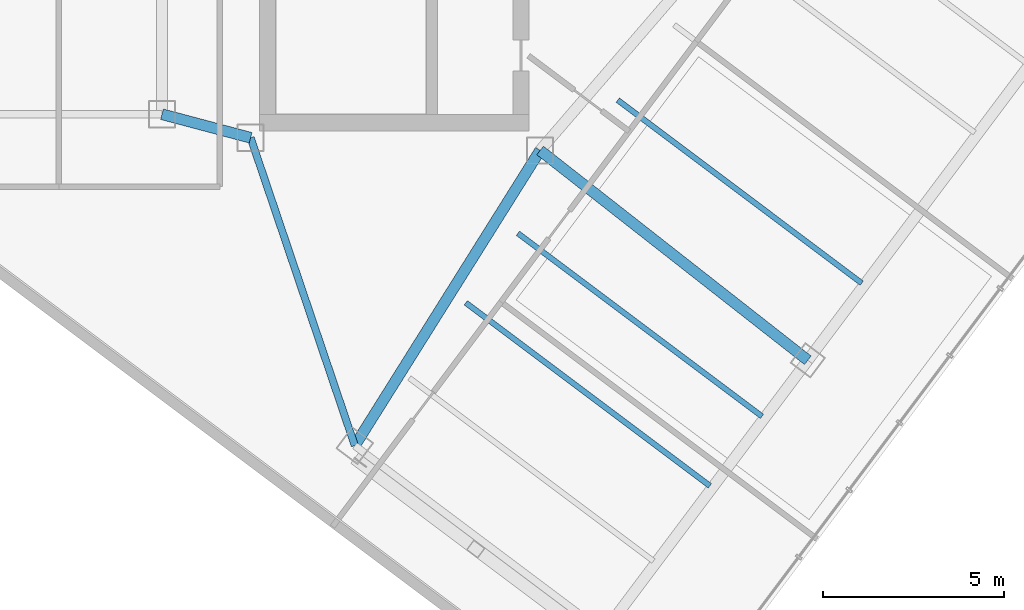
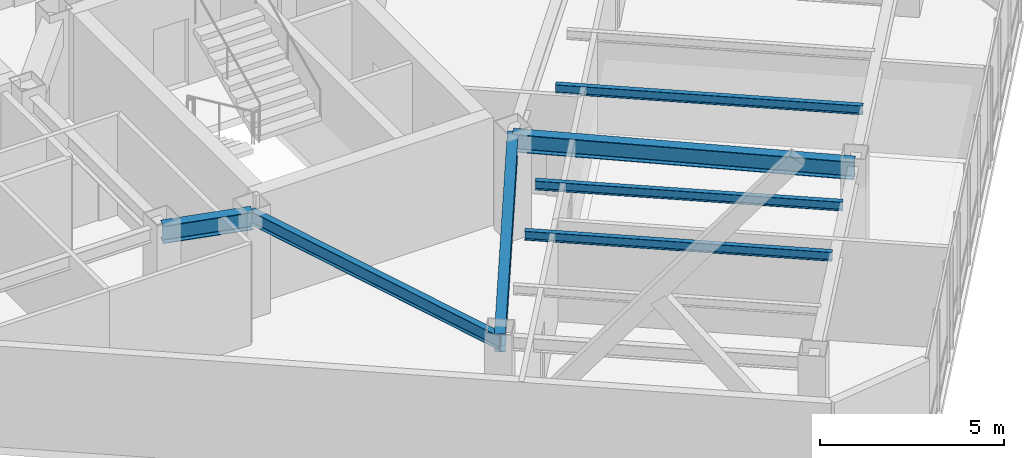
# One storey, part 3 of 24: 7 beams.
"""IFC4 building model written with IfcOpenShell, lengths in metres."""

import ifcopenshell
import ifcopenshell.guid

model = None  # the IFC model being written
_history = None  # IfcOwnerHistory: only IFC2X3 demands one
_inside = {}  # id of a spatial element -> (the spatial element, [elements in it])
_under = {}  # id of a project, library or spatial element -> (it, [spatial elements below it])
_declared = {}  # id of a project -> (the project, [libraries it declares])
_typed = {}  # id of a type object -> (the type object, [elements of that type])
_made_of = {}  # id of a material, layer set ... -> (it, [elements and type objects made of it])


def new_model(schema):
    """Start an empty IFC model of exactly this schema.

    Asked for "IFC4X3", IfcOpenShell would pick the latest addendum, in which some entities
    have other attributes; the version numbers below select the first issue.
    IFC2X3 requires an IfcOwnerHistory on every rooted entity: one is made here for all.
    """
    global model, _history
    if schema == "IFC4X3":
        model = ifcopenshell.file(schema_version=(4, 3, 0, 0))
    else:
        model = ifcopenshell.file(schema=schema)
    _inside.clear()
    _under.clear()
    _declared.clear()
    _typed.clear()
    _made_of.clear()
    _history = None
    if model.schema == "IFC2X3":
        org = make("IfcOrganization", Name="unknown")
        user = make(
            "IfcPersonAndOrganization",
            ThePerson=make("IfcPerson", FamilyName="unknown"),
            TheOrganization=org,
        )
        app = make(
            "IfcApplication",
            ApplicationDeveloper=org,
            Version="unknown",
            ApplicationFullName="unknown",
            ApplicationIdentifier="unknown",
        )
        _history = make(
            "IfcOwnerHistory",
            OwningUser=user,
            OwningApplication=app,
            ChangeAction="ADDED",
            CreationDate=0,
        )
    return model


def make(cls, **values):
    """One entity of the class cls with the attributes given. An attribute that is None is left unset."""
    return model.create_entity(
        cls, **{name: value for name, value in values.items() if value is not None}
    )


def rooted(cls, **values):
    """An entity with a GlobalId (a new one), such as an element, a storey or a relation."""
    return make(cls, GlobalId=ifcopenshell.guid.new(), OwnerHistory=_history, **values)


def si_unit(unit_type, name, prefix=None):
    """IfcSIUnit, for example si_unit("LENGTHUNIT", "METRE", prefix="MILLI")."""
    return make("IfcSIUnit", UnitType=unit_type, Prefix=prefix, Name=name)


def assignment(units):
    """IfcUnitAssignment: the units of a project."""
    return None if units is None else make("IfcUnitAssignment", Units=units)


def point(xyz):
    """IfcCartesianPoint."""
    return None if xyz is None else make("IfcCartesianPoint", Coordinates=xyz)


def direction(xyz):
    """IfcDirection."""
    return None if xyz is None else make("IfcDirection", DirectionRatios=xyz)


def frame(location, z_axis=None, x_axis=None):
    """IfcAxis2Placement3D, a coordinate frame: its origin and axes. An axis left out is left unset."""
    return make(
        "IfcAxis2Placement3D",
        Location=point(location),
        Axis=direction(z_axis),
        RefDirection=direction(x_axis),
    )


def frame_2d(location, x_axis=None):
    """IfcAxis2Placement2D, a coordinate frame in the plane: its origin and x axis."""
    return make(
        "IfcAxis2Placement2D", Location=point(location), RefDirection=direction(x_axis)
    )


def origin():
    """The frame at (0, 0, 0) with its axes left unset."""
    return frame((0.0, 0.0, 0.0))


def origin_2d():
    """The frame at (0, 0) in the plane with its x axis left unset."""
    return frame_2d((0.0, 0.0))


def place(relative_to, where):
    """IfcLocalPlacement: puts the frame where relative to a parent placement (None: the world)."""
    return make(
        "IfcLocalPlacement", PlacementRelTo=relative_to, RelativePlacement=where
    )


def context(
    kind, dimensions, precision=None, world=None, true_north=None, identifier=None
):
    """IfcGeometricRepresentationContext, for example the 3D "Model" context."""
    return make(
        "IfcGeometricRepresentationContext",
        ContextIdentifier=identifier,
        ContextType=kind,
        CoordinateSpaceDimension=dimensions,
        Precision=precision,
        WorldCoordinateSystem=world,
        TrueNorth=true_north,
    )


def subcontext(parent, identifier, kind, view, scale=None):
    """IfcGeometricRepresentationSubContext, for example "Body" below "Model"."""
    return make(
        "IfcGeometricRepresentationSubContext",
        ContextIdentifier=identifier,
        ContextType=kind,
        ParentContext=parent,
        TargetScale=scale,
        TargetView=view,
    )


def project(units=None, contexts=None):
    """IfcProject with its units and contexts."""
    return rooted(
        "IfcProject",
        Name="project",
        RepresentationContexts=contexts,
        UnitsInContext=assignment(units),
    )


def spatial(cls, under=None, at=None, **own):
    """A site, building, storey or space (cls), placed at a placement, below another one or the project."""
    s = rooted(cls, ObjectPlacement=at, **own)
    if under is not None:
        _under.setdefault(under.id(), (under, []))[1].append(s)
    return s


def profile(cls, at=None, kind="AREA", **sizes):
    """A parametric profile (cls). Its sizes go by their IFC names, for example OverallWidth=200.0."""
    return make(cls, ProfileType=kind, Position=at, **sizes)


def i_section(**sizes):
    """IfcIShapeProfileDef."""
    return profile("IfcIShapeProfileDef", **sizes)


def extrude(swept, where, along, depth):
    """IfcExtrudedAreaSolid: the profile swept, set in the frame where, extruded along a direction by depth."""
    return make(
        "IfcExtrudedAreaSolid",
        SweptArea=swept,
        Position=where,
        ExtrudedDirection=direction(along),
        Depth=depth,
    )


def shape(context_of_items, identifier, shape_type, items):
    """IfcShapeRepresentation: the items that make up one representation, for example the "Body"."""
    return make(
        "IfcShapeRepresentation",
        ContextOfItems=context_of_items,
        RepresentationIdentifier=identifier,
        RepresentationType=shape_type,
        Items=items,
    )


def material(Name=None, Category=None):
    """IfcMaterial."""
    return make("IfcMaterial", Name=Name, Category=Category)


def material_profile(
    of_material, cross_section, Name=None, Category=None, Priority=None
):
    """IfcMaterialProfile: a cross section and its material."""
    return make(
        "IfcMaterialProfile",
        Name=Name,
        Material=of_material,
        Profile=cross_section,
        Priority=Priority,
        Category=Category,
    )


def profile_set(profiles, Name=None, composite=None):
    """IfcMaterialProfileSet."""
    return make(
        "IfcMaterialProfileSet",
        Name=Name,
        MaterialProfiles=profiles,
        CompositeProfile=composite,
    )


def made_of(thing, what):
    """Note that an element or type object is made of a material, layer set ...; save() writes the relation."""
    if what is not None:
        _made_of.setdefault(what.id(), (what, []))[1].append(thing)
    return thing


def type_object(cls, material=None, **own):
    """A type object (cls), such as IfcWallType, which elements share."""
    return made_of(rooted(cls, **own), material)


def element(
    cls,
    number,
    at=None,
    inside=None,
    cuts=None,
    type_object=None,
    material=None,
    context=None,
    identifier="Body",
    shape_type=None,
    held_by="IfcProductDefinitionShape",
    body=None,
    shapes=None,
    **own,
):
    """One element of the class cls, such as IfcWall. Its Tag is "e" and its number.

    at: its placement. inside: the storey or other place that contains it. cuts: it is an
    opening in that element (IfcRelVoidsElement). A single representation is given by context,
    identifier, shape_type and body (its items); several are given by shapes. held_by: the class
    of the entity that holds the representations. save() writes the other relations.
    """
    e = rooted(cls, Tag="e%d" % number, ObjectPlacement=at, **own)
    if body is not None:
        shapes = [shape(context, identifier, shape_type, body)]
    if shapes is not None:
        e.Representation = make(held_by, Representations=shapes)
    if inside is not None:
        _inside.setdefault(inside.id(), (inside, []))[1].append(e)
    if cuts is not None:
        rooted(
            "IfcRelVoidsElement", RelatingBuildingElement=cuts, RelatedOpeningElement=e
        )
    if type_object is not None:
        _typed.setdefault(type_object.id(), (type_object, []))[1].append(e)
    return made_of(e, material)


def aggregate(whole, parts):
    """IfcRelAggregates: a whole, such as a stair, and the parts it consists of."""
    return rooted("IfcRelAggregates", RelatingObject=whole, RelatedObjects=parts)


def save(model, path):
    """Write the relations noted so far, then the file.

    IfcRelAggregates (storeys below a building ...), IfcRelContainedInSpatialStructure (elements
    in a storey), IfcRelDefinesByType, IfcRelAssociatesMaterial and IfcRelDeclares: one each for
    every whole, place, type object, material and project.
    """
    for whole, parts in _under.values():
        aggregate(whole, parts)
    for where, things in _inside.values():
        rooted(
            "IfcRelContainedInSpatialStructure",
            RelatedElements=things,
            RelatingStructure=where,
        )
    for kind, things in _typed.values():
        rooted("IfcRelDefinesByType", RelatedObjects=things, RelatingType=kind)
    for what, things in _made_of.values():
        rooted("IfcRelAssociatesMaterial", RelatedObjects=things, RelatingMaterial=what)
    for by, libraries in _declared.values():
        rooted("IfcRelDeclares", RelatingContext=by, RelatedDefinitions=libraries)
    model.write(path)


model = new_model("IFC4")

# Units and contexts
model_context = context("Model", 3, precision=1e-05, world=origin(), true_north=direction((0.0, 1.0)))
body_context = subcontext(model_context, "Body", "Model", "MODEL_VIEW")
ifc_project = project(units=[si_unit("LENGTHUNIT", "METRE"), si_unit("AREAUNIT", "SQUARE_METRE"), si_unit("VOLUMEUNIT", "CUBIC_METRE"), si_unit("PLANEANGLEUNIT", "RADIAN"), si_unit("MASSUNIT", "GRAM", prefix="KILO")], contexts=[model_context])

# Site, building, storey
site_placement = place(None, origin())
site = spatial("IfcSite", under=ifc_project, at=site_placement, CompositionType="ELEMENT")
building_placement = place(site_placement, origin())
building = spatial("IfcBuilding", under=site, at=building_placement, Name="Hatsunagi Terrace Concourse", CompositionType="ELEMENT")
storey_placement = place(building_placement, frame((0.0, 0.0, 213.14990234375)))
storey = spatial("IfcBuildingStorey", under=building, at=storey_placement, Name="L56", CompositionType="ELEMENT", Elevation=213.14990234375)

# Beams
ifc_material_1 = material(Name="Steel SN490B", Category="steel")
ifc_material_profile_1 = material_profile(ifc_material_1, i_section(OverallWidth=0.300048828125, OverallDepth=0.587890625, WebThickness=0.011962890625, FlangeThickness=0.02001953125, FilletRadius=0.01806640625, at=origin_2d()), Name="H-588x300x12x20")
ifc_profile_set_1 = profile_set([ifc_material_profile_1], Name="Steel SN490B")
beam_type_1 = type_object("IfcBeamType", Name="OfficeHighGirder_H_588x300", PredefinedType="BEAM", material=ifc_profile_set_1)
beam_1_placement = place(storey_placement, frame((33.35009765625, 25.199951171875, 3.05615234375), z_axis=(0.966569840116, -0.256403479262, 0.0), x_axis=(0.256403479262, 0.966569840116, 0.0)))
element("IfcBeam", 1, at=beam_1_placement, inside=storey, type_object=beam_type_1, Name="Beam G-06 BM-L56-K2CB", PredefinedType="BEAM", context=body_context, shape_type="SweptSolid", body=[
    extrude(i_section(OverallWidth=0.300048828125, OverallDepth=0.587890625, WebThickness=0.011962890625, FlangeThickness=0.02001953125, FilletRadius=0.01806640625, at=origin_2d()), origin(), (0.0, 0.0, 1.0), 2.53466796875),
])
beam_2_placement = place(storey_placement, frame((38.679931640625, 16.0400390625, 3.05615234375), z_axis=(0.531503907049, 0.847055840421, 0.0), x_axis=(-0.847055840421, 0.531503907049, 0.0)))
element("IfcBeam", 2, at=beam_2_placement, inside=storey, type_object=beam_type_1, Name="Beam G-06 BM-L56-SET-1A", PredefinedType="BEAM", context=body_context, shape_type="SweptSolid", body=[
    extrude(i_section(OverallWidth=0.300048828125, OverallDepth=0.587890625, WebThickness=0.011962890625, FlangeThickness=0.02001953125, FilletRadius=0.01806640625, at=origin_2d()), origin(), (0.0, 0.0, 1.0), 9.63330078125),
])
beam_3_placement = place(storey_placement, frame((43.800048828125, 24.199951171875, 3.05615234375), z_axis=(0.787049441068, -0.616889923175, 0.0), x_axis=(0.616889923175, 0.787049441068, 0.0)))
element("IfcBeam", 3, at=beam_3_placement, inside=storey, type_object=beam_type_1, Name="Beam G-06 BM-L56-SE-M2", PredefinedType="BEAM", context=body_context, shape_type="SweptSolid", body=[
    extrude(i_section(OverallWidth=0.300048828125, OverallDepth=0.587890625, WebThickness=0.011962890625, FlangeThickness=0.02001953125, FilletRadius=0.01806640625, at=origin_2d()), origin(), (0.0, 0.0, 1.0), 9.402099609375),
])
ifc_material_2 = material(Name="Steel SN490B", Category="steel")
ifc_material_profile_2 = material_profile(ifc_material_2, i_section(OverallWidth=0.14990234375, OverallDepth=0.300048828125, WebThickness=0.006591796875, FlangeThickness=0.009033203125, FilletRadius=0.010986328125, at=origin_2d()), Name="H-300x150x6.5x9")
ifc_profile_set_2 = profile_set([ifc_material_profile_2], Name="Steel SN490B")
beam_type_2 = type_object("IfcBeamType", Name="OfficeJoist_H_300x150", PredefinedType="JOIST", material=ifc_profile_set_2)
for number, where, z_axis, x_axis, name in (
    (4, (41.748046875, 19.989013671875, 3.2001953125), (0.799989573921, -0.600013901187, 0.0), (0.600013901187, 0.799989573921, 0.0), "Beam J-03 J-L56-SE-2-72"),
    (5, (43.18798828125, 21.908935546875, 3.2001953125), (0.800003475366, -0.59999536615, 0.0), (0.59999536615, 0.800003475366, 0.0), "Beam J-03 J-L56-SE-2-96"),
    (6, (45.947998046875, 25.589111328125, 3.2001953125), (0.799989573921, -0.600013901187, 0.0), (0.600013901187, 0.799989573921, 0.0), "Beam J-03 J-L56-SE-2-142"),
):
    element("IfcBeam", number, at=place(storey_placement, frame(where, z_axis=z_axis, x_axis=x_axis)), inside=storey, type_object=beam_type_2, Name=name, PredefinedType="JOIST", context=body_context, shape_type="SweptSolid", body=[
        extrude(i_section(OverallWidth=0.14990234375, OverallDepth=0.300048828125, WebThickness=0.006591796875, FlangeThickness=0.009033203125, FilletRadius=0.010986328125, at=origin_2d()), origin(), (0.0, 0.0, 1.0), 8.429931640625),
    ])
ifc_material_3 = material(Name="Steel SN490B", Category="steel")
ifc_material_profile_3 = material_profile(ifc_material_3, i_section(OverallWidth=0.199951171875, OverallDepth=0.449951171875, WebThickness=0.009033203125, FlangeThickness=0.013916015625, FilletRadius=0.01611328125, at=origin_2d()), Name="H-450x200x9x14")
ifc_profile_set_3 = profile_set([ifc_material_profile_3], Name="Steel SN490B")
beam_type_3 = type_object("IfcBeamType", Name="PerimeterSpandrel_H_450x200", PredefinedType="SPANDREL", material=ifc_profile_set_3)
beam_4_placement = place(storey_placement, frame((35.800048828125, 24.550048828125, 3.125), z_axis=(0.320553412271, -0.947230441805, 0.0), x_axis=(0.947230441805, 0.320553412271, 0.0)))
element("IfcBeam", 7, at=beam_4_placement, inside=storey, type_object=beam_type_3, Name="Beam SP-02 BM-L56-SE-SW0", PredefinedType="SPANDREL", context=body_context, shape_type="SweptSolid", body=[
    extrude(i_section(OverallWidth=0.199951171875, OverallDepth=0.449951171875, WebThickness=0.009033203125, FlangeThickness=0.013916015625, FilletRadius=0.01611328125, at=origin_2d()), origin(), (0.0, 0.0, 1.0), 8.984130859375),
])

save(model, "model.ifc")
